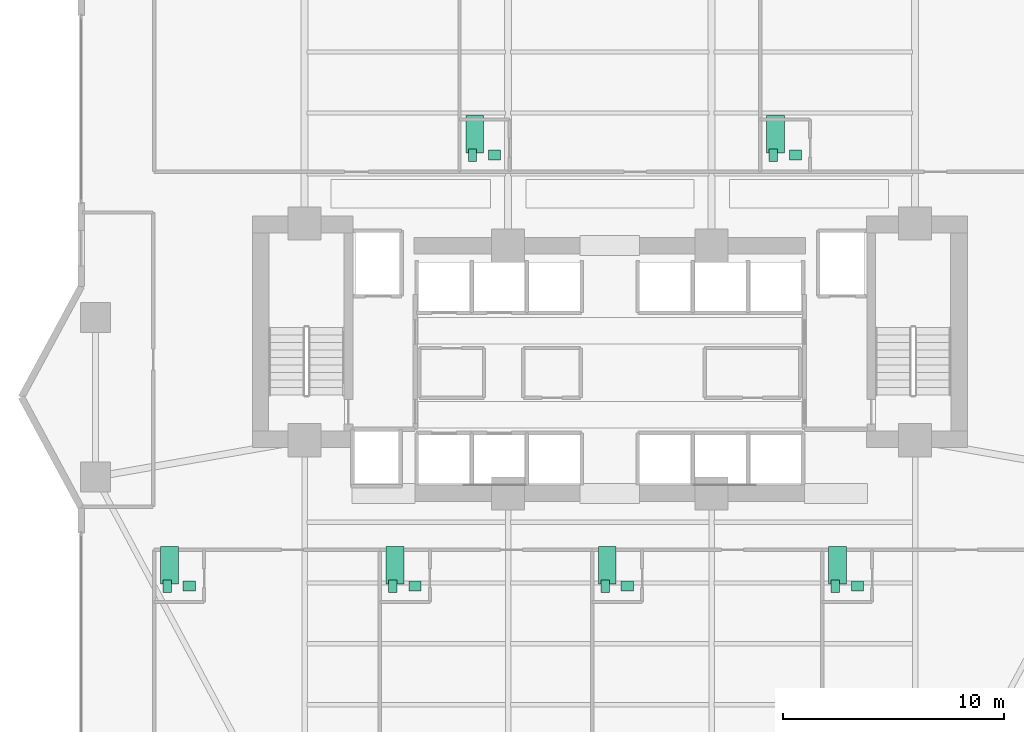
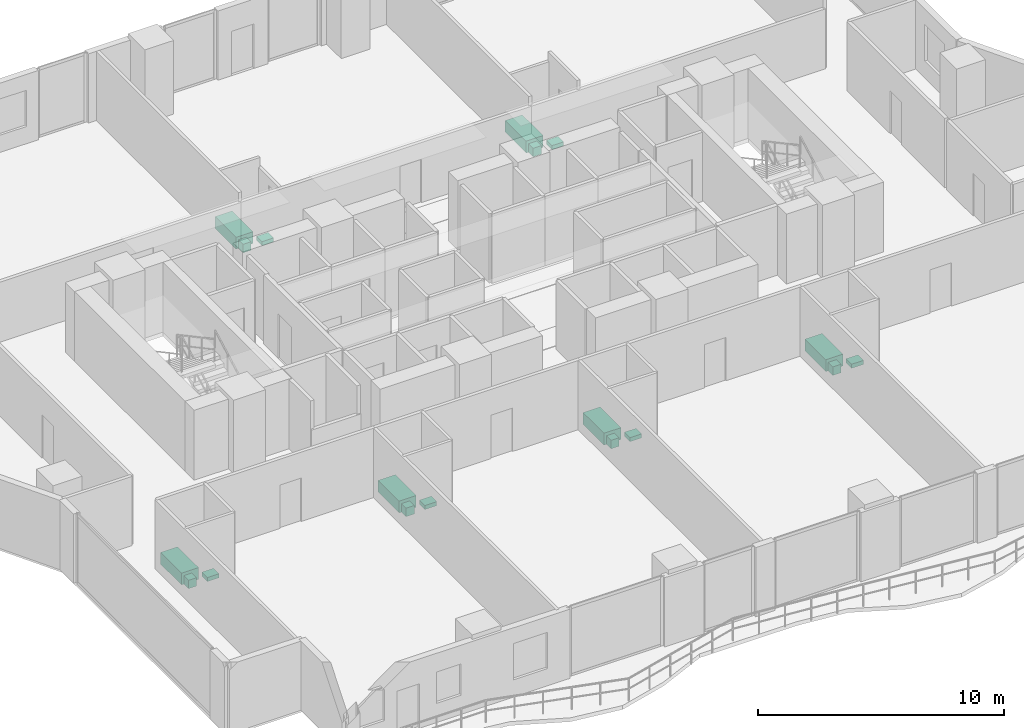
# One storey, part 28 of 28: 18 sanitary terminals.
"""IFC4 building model written with IfcOpenShell, lengths in metres."""

from ifc_helpers import new_model, si_unit, direction, frame, origin, origin_2d, place, context, subcontext, project, spatial, rectangle, extrude, material, type_object, element, save


model = new_model("IFC4")

# Units and contexts
model_context = context("Model", 3, precision=1e-05, world=origin(), true_north=direction((0.0, 1.0)))
body_context = subcontext(model_context, "Body", "Model", "MODEL_VIEW")
ifc_project = project(units=[si_unit("LENGTHUNIT", "METRE"), si_unit("AREAUNIT", "SQUARE_METRE"), si_unit("VOLUMEUNIT", "CUBIC_METRE"), si_unit("PLANEANGLEUNIT", "RADIAN"), si_unit("MASSUNIT", "GRAM", prefix="KILO")], contexts=[model_context])

# Site, building, storey
site_placement = place(None, origin())
site = spatial("IfcSite", under=ifc_project, at=site_placement, CompositionType="ELEMENT")
building_placement = place(site_placement, origin())
building = spatial("IfcBuilding", under=site, at=building_placement, Name="Zuhayl Quay Hotel", CompositionType="ELEMENT")
storey_placement = place(building_placement, frame((0.0, 0.0, 146.75)))
storey = spatial("IfcBuildingStorey", under=building, at=storey_placement, Name="L37", CompositionType="ELEMENT", Elevation=146.75)

# Sanitary terminals
ifc_material = material(Name="Vitreous Porcelain Sanitaryware")
sanitary_terminal_type_1 = type_object("IfcSanitaryTerminalType", Name="SAN_BASIN", PredefinedType="WASHHANDBASIN", material=ifc_material)
for number, where, z_axis, x_axis, name in (
    (1, (-5.2099609375, 17.43994140625, 0.0), (0.0, 0.0, 1.0), (1.0, 0.0, 0.0), "L37 Sanitary Fixture WASHHANDBASIN"),
    (2, (8.389892578125, 17.43994140625, 0.0), (0.0, 0.0, 1.0), (1.0, 0.0, 0.0), "L37 Sanitary Fixture WASHHANDBASIN"),
    (3, (-19.010009765625, -2.0400390625, 0.0), (0.0, 0.0, 1.0), (1.0, 0.0, 0.0), "L37 Sanitary Fixture WASHHANDBASIN"),
    (4, (-8.81005859375, -2.0400390625, 0.0), (0.0, 0.0, 1.0), (1.0, 0.0, 0.0), "L37 Sanitary Fixture WASHHANDBASIN"),
    (5, (0.7900390625, -2.0400390625, 0.0), (0.0, 0.0, 1.0), (1.0, 0.0, 0.0), "L37 Sanitary Fixture WASHHANDBASIN"),
    (6, (11.18994140625, -2.0400390625, 0.0), (0.0, 0.0, 1.0), (1.0, 0.0, 0.0), "L37 Sanitary Fixture WASHHANDBASIN"),
):
    element("IfcSanitaryTerminal", number, at=place(storey_placement, frame(where, z_axis=z_axis, x_axis=x_axis)), inside=storey, type_object=sanitary_terminal_type_1, Name=name, PredefinedType="WASHHANDBASIN", context=body_context, shape_type="SweptSolid", body=[
        extrude(rectangle(XDim=0.550048828125, YDim=0.449951171875, at=origin_2d()), origin(), (0.0, 0.0, 1.0), 0.199951171875),
    ])
sanitary_terminal_type_2 = type_object("IfcSanitaryTerminalType", Name="SAN_BATH", PredefinedType="BATH", material=ifc_material)
for number, where, z_axis, x_axis, name in (
    (7, (-6.110107421875, 18.389892578125, 0.0), (0.0, 0.0, 1.0), (1.0, 0.0, 0.0), "L37 Sanitary Fixture BATH"),
    (8, (7.489990234375, 18.389892578125, 0.0), (0.0, 0.0, 1.0), (1.0, 0.0, 0.0), "L37 Sanitary Fixture BATH"),
    (9, (-19.909912109375, -1.090087890625, 0.0), (0.0, 0.0, 1.0), (1.0, 0.0, 0.0), "L37 Sanitary Fixture BATH"),
    (10, (-9.7099609375, -1.090087890625, 0.0), (0.0, 0.0, 1.0), (1.0, 0.0, 0.0), "L37 Sanitary Fixture BATH"),
    (11, (-0.110107421875, -1.090087890625, 0.0), (0.0, 0.0, 1.0), (1.0, 0.0, 0.0), "L37 Sanitary Fixture BATH"),
    (12, (10.2900390625, -1.090087890625, 0.0), (0.0, 0.0, 1.0), (1.0, 0.0, 0.0), "L37 Sanitary Fixture BATH"),
):
    element("IfcSanitaryTerminal", number, at=place(storey_placement, frame(where, z_axis=z_axis, x_axis=x_axis)), inside=storey, type_object=sanitary_terminal_type_2, Name=name, PredefinedType="BATH", context=body_context, shape_type="SweptSolid", body=[
        extrude(rectangle(XDim=0.800048828125, YDim=1.699951171875, at=origin_2d()), origin(), (0.0, 0.0, 1.0), 0.580078125),
    ])
sanitary_terminal_type_3 = type_object("IfcSanitaryTerminalType", Name="SAN_WC", PredefinedType="TOILETPAN", material=ifc_material)
for number, where, z_axis, x_axis, name in (
    (13, (-6.2099609375, 17.43994140625, 0.0), (0.0, 0.0, 1.0), (1.0, 0.0, 0.0), "L37 Sanitary Fixture TOILETPAN"),
    (14, (7.389892578125, 17.43994140625, 0.0), (0.0, 0.0, 1.0), (1.0, 0.0, 0.0), "L37 Sanitary Fixture TOILETPAN"),
    (15, (-20.010009765625, -2.0400390625, 0.0), (0.0, 0.0, 1.0), (1.0, 0.0, 0.0), "L37 Sanitary Fixture TOILETPAN"),
    (16, (-9.81005859375, -2.0400390625, 0.0), (0.0, 0.0, 1.0), (1.0, 0.0, 0.0), "L37 Sanitary Fixture TOILETPAN"),
    (17, (-0.2099609375, -2.0400390625, 0.0), (0.0, 0.0, 1.0), (1.0, 0.0, 0.0), "L37 Sanitary Fixture TOILETPAN"),
    (18, (10.18994140625, -2.0400390625, 0.0), (0.0, 0.0, 1.0), (1.0, 0.0, 0.0), "L37 Sanitary Fixture TOILETPAN"),
):
    element("IfcSanitaryTerminal", number, at=place(storey_placement, frame(where, z_axis=z_axis, x_axis=x_axis)), inside=storey, type_object=sanitary_terminal_type_3, Name=name, PredefinedType="TOILETPAN", context=body_context, shape_type="SweptSolid", body=[
        extrude(rectangle(XDim=0.3798828125, YDim=0.56005859375, at=origin_2d()), origin(), (0.0, 0.0, 1.0), 0.419921875),
    ])

save(model, "model.ifc")
